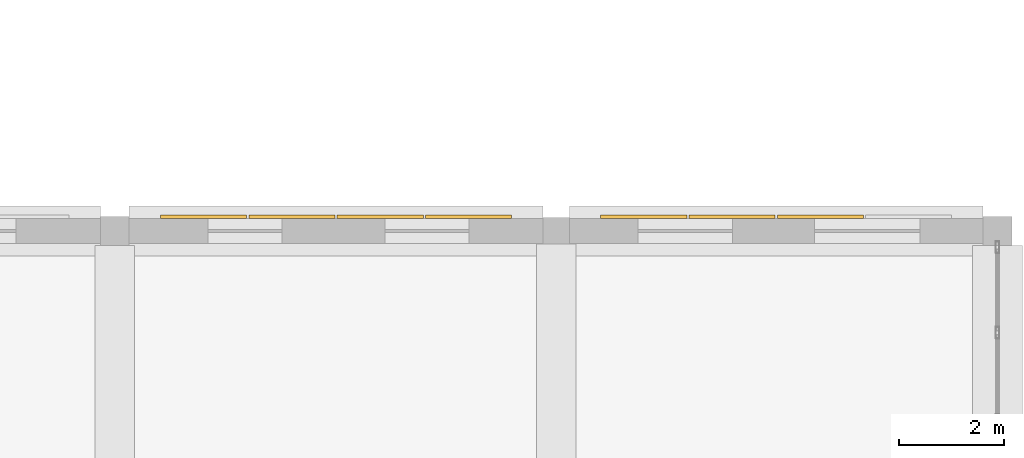
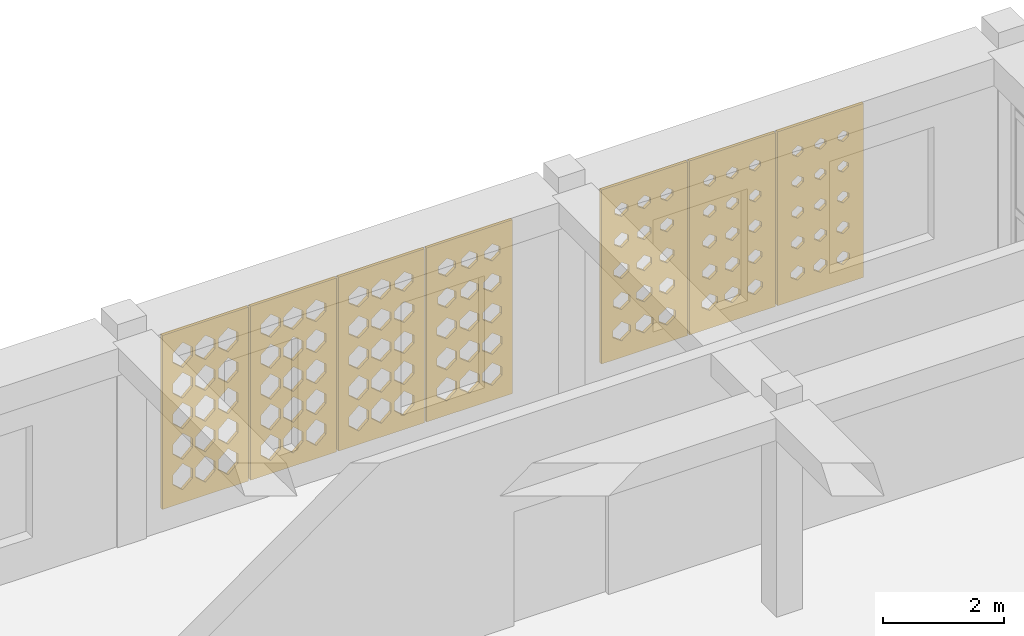
# One storey, part 119 of 121: 7 coverings.
"""IFC4 building model written with IfcOpenShell, lengths in metres."""

import ifcopenshell
import ifcopenshell.guid

model = None  # the IFC model being written
_history = None  # IfcOwnerHistory: only IFC2X3 demands one
_inside = {}  # id of a spatial element -> (the spatial element, [elements in it])
_under = {}  # id of a project, library or spatial element -> (it, [spatial elements below it])
_declared = {}  # id of a project -> (the project, [libraries it declares])
_typed = {}  # id of a type object -> (the type object, [elements of that type])
_made_of = {}  # id of a material, layer set ... -> (it, [elements and type objects made of it])


def new_model(schema):
    """Start an empty IFC model of exactly this schema.

    Asked for "IFC4X3", IfcOpenShell would pick the latest addendum, in which some entities
    have other attributes; the version numbers below select the first issue.
    IFC2X3 requires an IfcOwnerHistory on every rooted entity: one is made here for all.
    """
    global model, _history
    if schema == "IFC4X3":
        model = ifcopenshell.file(schema_version=(4, 3, 0, 0))
    else:
        model = ifcopenshell.file(schema=schema)
    _inside.clear()
    _under.clear()
    _declared.clear()
    _typed.clear()
    _made_of.clear()
    _history = None
    if model.schema == "IFC2X3":
        org = make("IfcOrganization", Name="unknown")
        user = make(
            "IfcPersonAndOrganization",
            ThePerson=make("IfcPerson", FamilyName="unknown"),
            TheOrganization=org,
        )
        app = make(
            "IfcApplication",
            ApplicationDeveloper=org,
            Version="unknown",
            ApplicationFullName="unknown",
            ApplicationIdentifier="unknown",
        )
        _history = make(
            "IfcOwnerHistory",
            OwningUser=user,
            OwningApplication=app,
            ChangeAction="ADDED",
            CreationDate=0,
        )
    return model


def make(cls, **values):
    """One entity of the class cls with the attributes given. An attribute that is None is left unset."""
    return model.create_entity(
        cls, **{name: value for name, value in values.items() if value is not None}
    )


def rooted(cls, **values):
    """An entity with a GlobalId (a new one), such as an element, a storey or a relation."""
    return make(cls, GlobalId=ifcopenshell.guid.new(), OwnerHistory=_history, **values)


def si_unit(unit_type, name, prefix=None):
    """IfcSIUnit, for example si_unit("LENGTHUNIT", "METRE", prefix="MILLI")."""
    return make("IfcSIUnit", UnitType=unit_type, Prefix=prefix, Name=name)


def derived_unit(unit_type, elements):
    """IfcDerivedUnit: a product of units, each with its exponent."""
    return make(
        "IfcDerivedUnit",
        Elements=[
            make("IfcDerivedUnitElement", Unit=unit, Exponent=power)
            for unit, power in elements
        ],
        UnitType=unit_type,
    )


def assignment(units):
    """IfcUnitAssignment: the units of a project."""
    return None if units is None else make("IfcUnitAssignment", Units=units)


def point(xyz):
    """IfcCartesianPoint."""
    return None if xyz is None else make("IfcCartesianPoint", Coordinates=xyz)


def direction(xyz):
    """IfcDirection."""
    return None if xyz is None else make("IfcDirection", DirectionRatios=xyz)


def frame(location, z_axis=None, x_axis=None):
    """IfcAxis2Placement3D, a coordinate frame: its origin and axes. An axis left out is left unset."""
    return make(
        "IfcAxis2Placement3D",
        Location=point(location),
        Axis=direction(z_axis),
        RefDirection=direction(x_axis),
    )


def origin():
    """The frame at (0, 0, 0) with its axes left unset."""
    return frame((0.0, 0.0, 0.0))


def place(relative_to, where):
    """IfcLocalPlacement: puts the frame where relative to a parent placement (None: the world)."""
    return make(
        "IfcLocalPlacement", PlacementRelTo=relative_to, RelativePlacement=where
    )


def context(
    kind, dimensions, precision=None, world=None, true_north=None, identifier=None
):
    """IfcGeometricRepresentationContext, for example the 3D "Model" context."""
    return make(
        "IfcGeometricRepresentationContext",
        ContextIdentifier=identifier,
        ContextType=kind,
        CoordinateSpaceDimension=dimensions,
        Precision=precision,
        WorldCoordinateSystem=world,
        TrueNorth=true_north,
    )


def subcontext(parent, identifier, kind, view, scale=None):
    """IfcGeometricRepresentationSubContext, for example "Body" below "Model"."""
    return make(
        "IfcGeometricRepresentationSubContext",
        ContextIdentifier=identifier,
        ContextType=kind,
        ParentContext=parent,
        TargetScale=scale,
        TargetView=view,
    )


def project(units=None, contexts=None):
    """IfcProject with its units and contexts."""
    return rooted(
        "IfcProject",
        Name="project",
        RepresentationContexts=contexts,
        UnitsInContext=assignment(units),
    )


def spatial(cls, under=None, at=None, **own):
    """A site, building, storey or space (cls), placed at a placement, below another one or the project."""
    s = rooted(cls, ObjectPlacement=at, **own)
    if under is not None:
        _under.setdefault(under.id(), (under, []))[1].append(s)
    return s


def polyline(points):
    """IfcPolyline through the points."""
    return make("IfcPolyline", Points=[point(p) for p in points])


def outline(outer, holes=None, kind="AREA"):
    """IfcArbitraryClosedProfileDef: a profile drawn as a closed curve; with holes, ...WithVoids."""
    if holes is None:
        return make("IfcArbitraryClosedProfileDef", ProfileType=kind, OuterCurve=outer)
    return make(
        "IfcArbitraryProfileDefWithVoids",
        ProfileType=kind,
        OuterCurve=outer,
        InnerCurves=holes,
    )


def extrude(swept, where, along, depth):
    """IfcExtrudedAreaSolid: the profile swept, set in the frame where, extruded along a direction by depth."""
    return make(
        "IfcExtrudedAreaSolid",
        SweptArea=swept,
        Position=where,
        ExtrudedDirection=direction(along),
        Depth=depth,
    )


def shape(context_of_items, identifier, shape_type, items):
    """IfcShapeRepresentation: the items that make up one representation, for example the "Body"."""
    return make(
        "IfcShapeRepresentation",
        ContextOfItems=context_of_items,
        RepresentationIdentifier=identifier,
        RepresentationType=shape_type,
        Items=items,
    )


def material(Name=None, Category=None):
    """IfcMaterial."""
    return make("IfcMaterial", Name=Name, Category=Category)


def layer(
    of_material, thickness, ventilated=None, Name=None, Category=None, Priority=None
):
    """IfcMaterialLayer: one layer of a wall or slab, of a material (None: an air gap)."""
    return make(
        "IfcMaterialLayer",
        Material=of_material,
        LayerThickness=thickness,
        IsVentilated=ventilated,
        Name=Name,
        Category=Category,
        Priority=Priority,
    )


def layer_set(layers, Name=None):
    """IfcMaterialLayerSet."""
    return make("IfcMaterialLayerSet", MaterialLayers=layers, LayerSetName=Name)


def made_of(thing, what):
    """Note that an element or type object is made of a material, layer set ...; save() writes the relation."""
    if what is not None:
        _made_of.setdefault(what.id(), (what, []))[1].append(thing)
    return thing


def type_object(cls, material=None, **own):
    """A type object (cls), such as IfcWallType, which elements share."""
    return made_of(rooted(cls, **own), material)


def element(
    cls,
    number,
    at=None,
    inside=None,
    cuts=None,
    type_object=None,
    material=None,
    context=None,
    identifier="Body",
    shape_type=None,
    held_by="IfcProductDefinitionShape",
    body=None,
    shapes=None,
    **own,
):
    """One element of the class cls, such as IfcWall. Its Tag is "e" and its number.

    at: its placement. inside: the storey or other place that contains it. cuts: it is an
    opening in that element (IfcRelVoidsElement). A single representation is given by context,
    identifier, shape_type and body (its items); several are given by shapes. held_by: the class
    of the entity that holds the representations. save() writes the other relations.
    """
    e = rooted(cls, Tag="e%d" % number, ObjectPlacement=at, **own)
    if body is not None:
        shapes = [shape(context, identifier, shape_type, body)]
    if shapes is not None:
        e.Representation = make(held_by, Representations=shapes)
    if inside is not None:
        _inside.setdefault(inside.id(), (inside, []))[1].append(e)
    if cuts is not None:
        rooted(
            "IfcRelVoidsElement", RelatingBuildingElement=cuts, RelatedOpeningElement=e
        )
    if type_object is not None:
        _typed.setdefault(type_object.id(), (type_object, []))[1].append(e)
    return made_of(e, material)


def aggregate(whole, parts):
    """IfcRelAggregates: a whole, such as a stair, and the parts it consists of."""
    return rooted("IfcRelAggregates", RelatingObject=whole, RelatedObjects=parts)


def save(model, path):
    """Write the relations noted so far, then the file.

    IfcRelAggregates (storeys below a building ...), IfcRelContainedInSpatialStructure (elements
    in a storey), IfcRelDefinesByType, IfcRelAssociatesMaterial and IfcRelDeclares: one each for
    every whole, place, type object, material and project.
    """
    for whole, parts in _under.values():
        aggregate(whole, parts)
    for where, things in _inside.values():
        rooted(
            "IfcRelContainedInSpatialStructure",
            RelatedElements=things,
            RelatingStructure=where,
        )
    for kind, things in _typed.values():
        rooted("IfcRelDefinesByType", RelatedObjects=things, RelatingType=kind)
    for what, things in _made_of.values():
        rooted("IfcRelAssociatesMaterial", RelatedObjects=things, RelatingMaterial=what)
    for by, libraries in _declared.values():
        rooted("IfcRelDeclares", RelatingContext=by, RelatedDefinitions=libraries)
    model.write(path)


model = new_model("IFC4")

# Units and contexts
model_context = context("Model", 3, precision=1e-05, world=origin(), true_north=direction((0.0, 1.0)))
body_context = subcontext(model_context, "Body", "Model", "MODEL_VIEW")
ifc_project = project(units=[si_unit("LENGTHUNIT", "METRE"), si_unit("AREAUNIT", "SQUARE_METRE"), si_unit("VOLUMEUNIT", "CUBIC_METRE"), si_unit("PLANEANGLEUNIT", "RADIAN"), si_unit("MASSUNIT", "GRAM", prefix="KILO"), derived_unit("THERMALTRANSMITTANCEUNIT", [(si_unit("POWERUNIT", "WATT"), 1), (si_unit("LENGTHUNIT", "METRE"), -2), (si_unit("THERMODYNAMICTEMPERATUREUNIT", "KELVIN"), -1)])], contexts=[model_context])

# Site, building, storey
site_placement = place(None, origin())
site = spatial("IfcSite", under=ifc_project, at=site_placement, CompositionType="ELEMENT")
building_placement = place(site_placement, origin())
building = spatial("IfcBuilding", under=site, at=building_placement, Name="Veybourne Emporium", CompositionType="ELEMENT")
storey_placement = place(building_placement, frame((0.0, 0.0, 5.39990234375)))
storey = spatial("IfcBuildingStorey", under=building, at=storey_placement, Name="L01", CompositionType="ELEMENT", Elevation=5.39990234375)

# Coverings
ifc_material = material(Name="Warm-White Perforated Aluminium Screen Alloy", Category="aluminium")
ifc_layer_1 = layer(ifc_material, 0.06005859375)
ifc_layer_set_1 = layer_set([ifc_layer_1], Name="Warm-White Perforated Aluminium Screen Alloy")
covering_type_1 = type_object("IfcCoveringType", Name="WaveScreen_SCR-01", PredefinedType="CLADDING", material=ifc_layer_set_1)
covering_1_placement = place(storey_placement, frame((156.25244140625, 21.89794921875, 1.815185546875), z_axis=(0.0, -1.0, 0.0), x_axis=(1.0, 0.0, 0.0)))
element("IfcCovering", 1, at=covering_1_placement, inside=storey, type_object=covering_type_1, Name="L01 wave-perforated aluminium screen SCR-01 (76.3)", PredefinedType="CLADDING", context=body_context, shape_type="SweptSolid", body=[
    extrude(outline(polyline([(-0.81982421875, -1.7548828125), (0.81982421875, -1.7548828125), (0.81982421875, 1.7548828125), (-0.81982421875, 1.7548828125), (-0.81982421875, -1.7548828125)]), holes=[polyline([(-0.433349609375, -0.970947265625), (-0.2470703125, -1.135498046875), (-0.2470703125, -1.320556640625), (-0.433349609375, -1.485107421875), (-0.61962890625, -1.320556640625), (-0.61962890625, -1.135498046875), (-0.433349609375, -0.970947265625)]), polyline([(-0.433349609375, -0.36669921875), (-0.2470703125, -0.52490234375), (-0.2470703125, -0.702880859375), (-0.433349609375, -0.861083984375), (-0.61962890625, -0.702880859375), (-0.61962890625, -0.52490234375), (-0.433349609375, -0.36669921875)]), polyline([(-0.433349609375, 0.23583984375), (-0.2470703125, 0.0849609375), (-0.2470703125, -0.0849609375), (-0.433349609375, -0.23583984375), (-0.61962890625, -0.0849609375), (-0.61962890625, 0.0849609375), (-0.433349609375, 0.23583984375)]), polyline([(-0.433349609375, 0.837158203125), (-0.2470703125, 0.6943359375), (-0.2470703125, 0.53369140625), (-0.433349609375, 0.390869140625), (-0.61962890625, 0.53369140625), (-0.61962890625, 0.6943359375), (-0.433349609375, 0.837158203125)]), polyline([(-0.433349609375, 1.437744140625), (-0.251708984375, 1.303466796875), (-0.251708984375, 1.152587890625), (-0.433349609375, 1.018310546875), (-0.614990234375, 1.152587890625), (-0.614990234375, 1.303466796875), (-0.433349609375, 1.437744140625)]), polyline([(0.0, -0.97509765625), (0.186279296875, -1.136962890625), (0.186279296875, -1.319091796875), (0.0, -1.480712890625), (-0.186279296875, -1.319091796875), (-0.186279296875, -1.136962890625), (0.0, -0.97509765625)]), polyline([(0.0, -0.37158203125), (0.186279296875, -0.52685546875), (0.186279296875, -0.701171875), (0.0, -0.856201171875), (-0.186279296875, -0.701171875), (-0.186279296875, -0.52685546875), (0.0, -0.37158203125)]), polyline([(0.0, 0.230224609375), (0.186279296875, 0.0830078125), (0.186279296875, -0.0830078125), (0.0, -0.230224609375), (-0.186279296875, -0.0830078125), (-0.186279296875, 0.0830078125), (0.0, 0.230224609375)]), polyline([(0.0, 0.831298828125), (0.186279296875, 0.692138671875), (0.186279296875, 0.535888671875), (0.0, 0.396728515625), (-0.186279296875, 0.535888671875), (-0.186279296875, 0.692138671875), (0.0, 0.831298828125)]), polyline([(0.0, 1.431396484375), (0.176513671875, 1.30126953125), (0.176513671875, 1.15478515625), (0.0, 1.024658203125), (-0.176513671875, 1.15478515625), (-0.176513671875, 1.30126953125), (0.0, 1.431396484375)]), polyline([(0.433349609375, -0.979736328125), (0.61962890625, -1.138671875), (0.61962890625, -1.3173828125), (0.433349609375, -1.476318359375), (0.2470703125, -1.3173828125), (0.2470703125, -1.138671875), (0.433349609375, -0.979736328125)]), polyline([(0.433349609375, -0.376953125), (0.61962890625, -0.52880859375), (0.61962890625, -0.69921875), (0.433349609375, -0.85107421875), (0.2470703125, -0.69921875), (0.2470703125, -0.52880859375), (0.433349609375, -0.376953125)]), polyline([(0.433349609375, 0.224365234375), (0.61962890625, 0.080810546875), (0.61962890625, -0.080810546875), (0.433349609375, -0.224365234375), (0.2470703125, -0.080810546875), (0.2470703125, 0.080810546875), (0.433349609375, 0.224365234375)]), polyline([(0.433349609375, 0.824951171875), (0.615966796875, 0.68994140625), (0.615966796875, 0.5380859375), (0.433349609375, 0.403076171875), (0.250732421875, 0.5380859375), (0.250732421875, 0.68994140625), (0.433349609375, 0.824951171875)]), polyline([(0.433349609375, 1.4248046875), (0.6044921875, 1.298828125), (0.6044921875, 1.156982421875), (0.433349609375, 1.031005859375), (0.26220703125, 1.156982421875), (0.26220703125, 1.298828125), (0.433349609375, 1.4248046875)])]), origin(), (0.0, 0.0, 1.0), 0.06005859375),
])
covering_2_placement = place(storey_placement, frame((164.62744140625, 21.89794921875, 1.815185546875), z_axis=(0.0, -1.0, 0.0), x_axis=(1.0, 0.0, 0.0)))
element("IfcCovering", 2, at=covering_2_placement, inside=storey, type_object=covering_type_1, Name="L01 wave-perforated aluminium screen SCR-01 (80.3)", PredefinedType="CLADDING", context=body_context, shape_type="SweptSolid", body=[
    extrude(outline(polyline([(-0.81982421875, -1.7548828125), (0.81982421875, -1.7548828125), (0.81982421875, 1.7548828125), (-0.81982421875, 1.7548828125), (-0.81982421875, -1.7548828125)]), holes=[polyline([(-0.433349609375, -1.082763671875), (-0.304443359375, -1.17578125), (-0.304443359375, -1.2802734375), (-0.433349609375, -1.373291015625), (-0.562255859375, -1.2802734375), (-0.562255859375, -1.17578125), (-0.433349609375, -1.082763671875)]), polyline([(-0.433349609375, -0.4794921875), (-0.3134765625, -0.565673828125), (-0.3134765625, -0.662353515625), (-0.433349609375, -0.748291015625), (-0.55322265625, -0.662353515625), (-0.55322265625, -0.565673828125), (-0.433349609375, -0.4794921875)]), polyline([(-0.433349609375, 0.125244140625), (-0.32080078125, 0.045166015625), (-0.32080078125, -0.045166015625), (-0.433349609375, -0.125244140625), (-0.5458984375, -0.045166015625), (-0.5458984375, 0.045166015625), (-0.433349609375, 0.125244140625)]), polyline([(-0.433349609375, 0.73193359375), (-0.326904296875, 0.656494140625), (-0.326904296875, 0.571533203125), (-0.433349609375, 0.49609375), (-0.539794921875, 0.571533203125), (-0.539794921875, 0.656494140625), (-0.433349609375, 0.73193359375)]), polyline([(-0.433349609375, 1.341064453125), (-0.330810546875, 1.268798828125), (-0.330810546875, 1.187255859375), (-0.433349609375, 1.114990234375), (-0.535888671875, 1.187255859375), (-0.535888671875, 1.268798828125), (-0.433349609375, 1.341064453125)]), polyline([(0.0, -1.087890625), (0.12451171875, -1.177490234375), (0.12451171875, -1.2783203125), (0.0, -1.3681640625), (-0.12451171875, -1.2783203125), (-0.12451171875, -1.177490234375), (0.0, -1.087890625)]), polyline([(0.0, -0.48388671875), (0.1162109375, -0.567138671875), (0.1162109375, -0.660888671875), (0.0, -0.743896484375), (-0.1162109375, -0.660888671875), (-0.1162109375, -0.567138671875), (0.0, -0.48388671875)]), polyline([(0.0, 0.12158203125), (0.109619140625, 0.043701171875), (0.109619140625, -0.043701171875), (0.0, -0.12158203125), (-0.109619140625, -0.043701171875), (-0.109619140625, 0.043701171875), (0.0, 0.12158203125)]), polyline([(0.0, 0.7294921875), (0.1044921875, 0.655517578125), (0.1044921875, 0.572509765625), (0.0, 0.49853515625), (-0.1044921875, 0.572509765625), (-0.1044921875, 0.655517578125), (0.0, 0.7294921875)]), polyline([(0.0, 1.339599609375), (0.101318359375, 1.268310546875), (0.101318359375, 1.187744140625), (0.0, 1.116455078125), (-0.101318359375, 1.187744140625), (-0.101318359375, 1.268310546875), (0.0, 1.339599609375)]), polyline([(0.433349609375, -1.0927734375), (0.553955078125, -1.17919921875), (0.553955078125, -1.276611328125), (0.433349609375, -1.36328125), (0.3125, -1.276611328125), (0.3125, -1.17919921875), (0.433349609375, -1.0927734375)]), polyline([(0.433349609375, -0.488037109375), (0.54638671875, -0.568603515625), (0.54638671875, -0.659423828125), (0.433349609375, -0.739990234375), (0.3203125, -0.659423828125), (0.3203125, -0.568603515625), (0.433349609375, -0.488037109375)]), polyline([(0.433349609375, 0.11865234375), (0.540283203125, 0.042724609375), (0.540283203125, -0.042724609375), (0.433349609375, -0.11865234375), (0.326416015625, -0.042724609375), (0.326416015625, 0.042724609375), (0.433349609375, 0.11865234375)]), polyline([(0.433349609375, 0.727294921875), (0.5361328125, 0.65478515625), (0.5361328125, 0.5732421875), (0.433349609375, 0.50048828125), (0.33056640625, 0.5732421875), (0.33056640625, 0.65478515625), (0.433349609375, 0.727294921875)]), polyline([(0.433349609375, 1.338623046875), (0.53369140625, 1.267822265625), (0.53369140625, 1.188232421875), (0.433349609375, 1.117431640625), (0.3330078125, 1.188232421875), (0.3330078125, 1.267822265625), (0.433349609375, 1.338623046875)])]), origin(), (0.0, 0.0, 1.0), 0.06005859375),
])
ifc_layer_2 = layer(ifc_material, 0.06005859375)
ifc_layer_set_2 = layer_set([ifc_layer_2], Name="Warm-White Perforated Aluminium Screen Alloy")
covering_type_2 = type_object("IfcCoveringType", Name="WaveScreen_SCR-02", PredefinedType="CLADDING", material=ifc_layer_set_2)
covering_3_placement = place(storey_placement, frame((157.9326171875, 21.89794921875, 1.815185546875), z_axis=(0.0, -1.0, 0.0), x_axis=(1.0, 0.0, 0.0)))
element("IfcCovering", 3, at=covering_3_placement, inside=storey, type_object=covering_type_2, Name="L01 wave-perforated aluminium screen SCR-02 (76.4)", PredefinedType="CLADDING", context=body_context, shape_type="SweptSolid", body=[
    extrude(outline(polyline([(-0.81982421875, -1.7548828125), (0.81982421875, -1.7548828125), (0.81982421875, 1.7548828125), (-0.81982421875, 1.7548828125), (-0.81982421875, -1.7548828125)]), holes=[polyline([(-0.433349609375, -0.9892578125), (-0.2470703125, -1.14208984375), (-0.2470703125, -1.31396484375), (-0.433349609375, -1.466796875), (-0.61962890625, -1.31396484375), (-0.61962890625, -1.14208984375), (-0.433349609375, -0.9892578125)]), polyline([(-0.433349609375, -0.3876953125), (-0.2470703125, -0.532470703125), (-0.2470703125, -0.695556640625), (-0.433349609375, -0.84033203125), (-0.61962890625, -0.695556640625), (-0.61962890625, -0.532470703125), (-0.433349609375, -0.3876953125)]), polyline([(-0.433349609375, 0.212890625), (-0.2490234375, 0.07666015625), (-0.2490234375, -0.07666015625), (-0.433349609375, -0.212890625), (-0.61767578125, -0.07666015625), (-0.61767578125, 0.07666015625), (-0.433349609375, 0.212890625)]), polyline([(-0.433349609375, 0.81298828125), (-0.260498046875, 0.685791015625), (-0.260498046875, 0.542236328125), (-0.433349609375, 0.4150390625), (-0.606201171875, 0.542236328125), (-0.606201171875, 0.685791015625), (-0.433349609375, 0.81298828125)]), polyline([(-0.433349609375, 1.412841796875), (-0.272216796875, 1.294677734375), (-0.272216796875, 1.161376953125), (-0.433349609375, 1.043212890625), (-0.594482421875, 1.161376953125), (-0.594482421875, 1.294677734375), (-0.433349609375, 1.412841796875)]), polyline([(0.0, -0.99462890625), (0.186279296875, -1.14404296875), (0.186279296875, -1.31201171875), (0.0, -1.461181640625), (-0.186279296875, -1.31201171875), (-0.186279296875, -1.14404296875), (0.0, -0.99462890625)]), polyline([(0.0, -0.3935546875), (0.186279296875, -0.53466796875), (0.186279296875, -0.693359375), (0.0, -0.83447265625), (-0.186279296875, -0.693359375), (-0.186279296875, -0.53466796875), (0.0, -0.3935546875)]), polyline([(0.0, 0.206787109375), (0.17919921875, 0.074462890625), (0.17919921875, -0.074462890625), (0.0, -0.206787109375), (-0.17919921875, -0.074462890625), (-0.17919921875, 0.074462890625), (0.0, 0.206787109375)]), polyline([(0.0, 0.806640625), (0.16748046875, 0.683349609375), (0.16748046875, 0.544677734375), (0.0, 0.42138671875), (-0.16748046875, 0.544677734375), (-0.16748046875, 0.683349609375), (0.0, 0.806640625)]), polyline([(0.0, 1.406494140625), (0.156005859375, 1.292236328125), (0.156005859375, 1.163818359375), (0.0, 1.049560546875), (-0.156005859375, 1.163818359375), (-0.156005859375, 1.292236328125), (0.0, 1.406494140625)]), polyline([(0.433349609375, -1.00048828125), (0.61962890625, -1.14599609375), (0.61962890625, -1.309814453125), (0.433349609375, -1.45556640625), (0.2470703125, -1.309814453125), (0.2470703125, -1.14599609375), (0.433349609375, -1.00048828125)]), polyline([(0.433349609375, -0.399658203125), (0.61865234375, -0.536865234375), (0.61865234375, -0.691162109375), (0.433349609375, -0.828369140625), (0.248046875, -0.691162109375), (0.248046875, -0.536865234375), (0.433349609375, -0.399658203125)]), polyline([(0.433349609375, 0.2001953125), (0.607421875, 0.072021484375), (0.607421875, -0.072021484375), (0.433349609375, -0.2001953125), (0.259521484375, -0.072021484375), (0.259521484375, 0.072021484375), (0.433349609375, 0.2001953125)]), polyline([(0.433349609375, 0.80029296875), (0.595703125, 0.680908203125), (0.595703125, 0.547119140625), (0.433349609375, 0.427734375), (0.27099609375, 0.547119140625), (0.27099609375, 0.680908203125), (0.433349609375, 0.80029296875)]), polyline([(0.433349609375, 1.400146484375), (0.584228515625, 1.2900390625), (0.584228515625, 1.166015625), (0.433349609375, 1.055908203125), (0.282470703125, 1.166015625), (0.282470703125, 1.2900390625), (0.433349609375, 1.400146484375)])]), origin(), (0.0, 0.0, 1.0), 0.06005859375),
])
ifc_layer_3 = layer(ifc_material, 0.06005859375)
ifc_layer_set_3 = layer_set([ifc_layer_3], Name="Warm-White Perforated Aluminium Screen Alloy")
covering_type_3 = type_object("IfcCoveringType", Name="WaveScreen_SCR-03", PredefinedType="CLADDING", material=ifc_layer_set_3)
covering_4_placement = place(storey_placement, frame((152.892578125, 21.89794921875, 1.815185546875), z_axis=(0.0, -1.0, 0.0), x_axis=(1.0, 0.0, 0.0)))
element("IfcCovering", 4, at=covering_4_placement, inside=storey, type_object=covering_type_3, Name="L01 wave-perforated aluminium screen SCR-03 (76.1)", PredefinedType="CLADDING", context=body_context, shape_type="SweptSolid", body=[
    extrude(outline(polyline([(-0.81982421875, -1.7548828125), (0.81982421875, -1.7548828125), (0.81982421875, 1.7548828125), (-0.81982421875, 1.7548828125), (-0.81982421875, -1.7548828125)]), holes=[polyline([(-0.433349609375, -0.964111328125), (-0.2470703125, -1.133056640625), (-0.2470703125, -1.322998046875), (-0.433349609375, -1.491943359375), (-0.61962890625, -1.322998046875), (-0.61962890625, -1.133056640625), (-0.433349609375, -0.964111328125)]), polyline([(-0.433349609375, -0.35009765625), (-0.2470703125, -0.51904296875), (-0.2470703125, -0.708984375), (-0.433349609375, -0.8779296875), (-0.61962890625, -0.708984375), (-0.61962890625, -0.51904296875), (-0.433349609375, -0.35009765625)]), polyline([(-0.433349609375, 0.263916015625), (-0.2470703125, 0.094970703125), (-0.2470703125, -0.094970703125), (-0.433349609375, -0.263916015625), (-0.61962890625, -0.094970703125), (-0.61962890625, 0.094970703125), (-0.433349609375, 0.263916015625)]), polyline([(-0.433349609375, 0.875244140625), (-0.2470703125, 0.7080078125), (-0.2470703125, 0.52001953125), (-0.433349609375, 0.352783203125), (-0.61962890625, 0.52001953125), (-0.61962890625, 0.7080078125), (-0.433349609375, 0.875244140625)]), polyline([(-0.433349609375, 1.48046875), (-0.2470703125, 1.31884765625), (-0.2470703125, 1.13720703125), (-0.433349609375, 0.9755859375), (-0.61962890625, 1.13720703125), (-0.61962890625, 1.31884765625), (-0.433349609375, 1.48046875)]), polyline([(0.0, -0.964111328125), (0.186279296875, -1.133056640625), (0.186279296875, -1.322998046875), (0.0, -1.491943359375), (-0.186279296875, -1.322998046875), (-0.186279296875, -1.133056640625), (0.0, -0.964111328125)]), polyline([(0.0, -0.35009765625), (0.186279296875, -0.51904296875), (0.186279296875, -0.708984375), (0.0, -0.8779296875), (-0.186279296875, -0.708984375), (-0.186279296875, -0.51904296875), (0.0, -0.35009765625)]), polyline([(0.0, 0.263916015625), (0.186279296875, 0.094970703125), (0.186279296875, -0.094970703125), (0.0, -0.263916015625), (-0.186279296875, -0.094970703125), (-0.186279296875, 0.094970703125), (0.0, 0.263916015625)]), polyline([(0.0, 0.87158203125), (0.186279296875, 0.706787109375), (0.186279296875, 0.521240234375), (0.0, 0.3564453125), (-0.186279296875, 0.521240234375), (-0.186279296875, 0.706787109375), (0.0, 0.87158203125)]), polyline([(0.0, 1.475830078125), (0.186279296875, 1.3173828125), (0.186279296875, 1.138671875), (0.0, 0.97998046875), (-0.186279296875, 1.138671875), (-0.186279296875, 1.3173828125), (0.0, 1.475830078125)]), polyline([(0.433349609375, -0.964111328125), (0.61962890625, -1.133056640625), (0.61962890625, -1.322998046875), (0.433349609375, -1.491943359375), (0.2470703125, -1.322998046875), (0.2470703125, -1.133056640625), (0.433349609375, -0.964111328125)]), polyline([(0.433349609375, -0.35009765625), (0.61962890625, -0.51904296875), (0.61962890625, -0.708984375), (0.433349609375, -0.8779296875), (0.2470703125, -0.708984375), (0.2470703125, -0.51904296875), (0.433349609375, -0.35009765625)]), polyline([(0.433349609375, 0.261962890625), (0.61962890625, 0.09423828125), (0.61962890625, -0.09423828125), (0.433349609375, -0.261962890625), (0.2470703125, -0.09423828125), (0.2470703125, 0.09423828125), (0.433349609375, 0.261962890625)]), polyline([(0.433349609375, 0.867431640625), (0.61962890625, 0.705078125), (0.61962890625, 0.522705078125), (0.433349609375, 0.360595703125), (0.2470703125, 0.522705078125), (0.2470703125, 0.705078125), (0.433349609375, 0.867431640625)]), polyline([(0.433349609375, 1.470947265625), (0.61962890625, 1.3154296875), (0.61962890625, 1.140380859375), (0.433349609375, 0.985107421875), (0.2470703125, 1.140380859375), (0.2470703125, 1.3154296875), (0.433349609375, 1.470947265625)])]), origin(), (0.0, 0.0, 1.0), 0.06005859375),
])
covering_5_placement = place(storey_placement, frame((161.267578125, 21.89794921875, 1.815185546875), z_axis=(0.0, -1.0, 0.0), x_axis=(1.0, 0.0, 0.0)))
element("IfcCovering", 5, at=covering_5_placement, inside=storey, type_object=covering_type_3, Name="L01 wave-perforated aluminium screen SCR-03 (80.1)", PredefinedType="CLADDING", context=body_context, shape_type="SweptSolid", body=[
    extrude(outline(polyline([(-0.81982421875, -1.7548828125), (0.81982421875, -1.7548828125), (0.81982421875, 1.7548828125), (-0.81982421875, 1.7548828125), (-0.81982421875, -1.7548828125)]), holes=[polyline([(-0.433349609375, -1.035888671875), (-0.26611328125, -1.158935546875), (-0.26611328125, -1.297119140625), (-0.433349609375, -1.420166015625), (-0.6005859375, -1.297119140625), (-0.6005859375, -1.158935546875), (-0.433349609375, -1.035888671875)]), polyline([(-0.433349609375, -0.43603515625), (-0.277587890625, -0.5498046875), (-0.277587890625, -0.677978515625), (-0.433349609375, -0.7919921875), (-0.5888671875, -0.677978515625), (-0.5888671875, -0.5498046875), (-0.433349609375, -0.43603515625)]), polyline([(-0.433349609375, 0.164306640625), (-0.288818359375, 0.05908203125), (-0.288818359375, -0.05908203125), (-0.433349609375, -0.164306640625), (-0.57763671875, -0.05908203125), (-0.57763671875, 0.05908203125), (-0.433349609375, 0.164306640625)]), polyline([(-0.433349609375, 0.765380859375), (-0.29931640625, 0.66845703125), (-0.29931640625, 0.5595703125), (-0.433349609375, 0.462646484375), (-0.567138671875, 0.5595703125), (-0.567138671875, 0.66845703125), (-0.433349609375, 0.765380859375)]), polyline([(-0.433349609375, 1.367919921875), (-0.30908203125, 1.2783203125), (-0.30908203125, 1.177734375), (-0.433349609375, 1.088134765625), (-0.5576171875, 1.177734375), (-0.5576171875, 1.2783203125), (-0.433349609375, 1.367919921875)]), polyline([(0.0, -1.04248046875), (0.161865234375, -1.1611328125), (0.161865234375, -1.294921875), (0.0, -1.41357421875), (-0.161865234375, -1.294921875), (-0.161865234375, -1.1611328125), (0.0, -1.04248046875)]), polyline([(0.0, -0.4423828125), (0.150390625, -0.55224609375), (0.150390625, -0.67578125), (0.0, -0.78564453125), (-0.150390625, -0.67578125), (-0.150390625, -0.55224609375), (0.0, -0.4423828125)]), polyline([(0.0, 0.158203125), (0.139404296875, 0.056884765625), (0.139404296875, -0.056884765625), (0.0, -0.158203125), (-0.139404296875, -0.056884765625), (-0.139404296875, 0.056884765625), (0.0, 0.158203125)]), polyline([(0.0, 0.760009765625), (0.12939453125, 0.66650390625), (0.12939453125, 0.561279296875), (0.0, 0.468017578125), (-0.12939453125, 0.561279296875), (-0.12939453125, 0.66650390625), (0.0, 0.760009765625)]), polyline([(0.0, 1.363037109375), (0.12060546875, 1.276611328125), (0.12060546875, 1.179443359375), (0.0, 1.093017578125), (-0.12060546875, 1.179443359375), (-0.12060546875, 1.276611328125), (0.0, 1.363037109375)]), polyline([(0.433349609375, -1.048583984375), (0.590087890625, -1.16357421875), (0.590087890625, -1.29248046875), (0.433349609375, -1.4072265625), (0.276611328125, -1.29248046875), (0.276611328125, -1.16357421875), (0.433349609375, -1.048583984375)]), polyline([(0.433349609375, -0.448486328125), (0.578857421875, -0.554443359375), (0.578857421875, -0.673583984375), (0.433349609375, -0.779541015625), (0.287841796875, -0.673583984375), (0.287841796875, -0.554443359375), (0.433349609375, -0.448486328125)]), polyline([(0.433349609375, 0.152587890625), (0.568115234375, 0.054931640625), (0.568115234375, -0.054931640625), (0.433349609375, -0.152587890625), (0.298583984375, -0.054931640625), (0.298583984375, 0.054931640625), (0.433349609375, 0.152587890625)]), polyline([(0.433349609375, 0.7548828125), (0.55859375, 0.664794921875), (0.55859375, 0.563232421875), (0.433349609375, 0.47314453125), (0.30810546875, 0.563232421875), (0.30810546875, 0.664794921875), (0.433349609375, 0.7548828125)]), polyline([(0.433349609375, 1.358642578125), (0.55029296875, 1.27490234375), (0.55029296875, 1.180908203125), (0.433349609375, 1.097412109375), (0.31640625, 1.180908203125), (0.31640625, 1.27490234375), (0.433349609375, 1.358642578125)])]), origin(), (0.0, 0.0, 1.0), 0.06005859375),
])
ifc_layer_4 = layer(ifc_material, 0.06005859375)
ifc_layer_set_4 = layer_set([ifc_layer_4], Name="Warm-White Perforated Aluminium Screen Alloy")
covering_type_4 = type_object("IfcCoveringType", Name="WaveScreen_SCR-04", PredefinedType="CLADDING", material=ifc_layer_set_4)
covering_6_placement = place(storey_placement, frame((154.572509765625, 21.89794921875, 1.815185546875), z_axis=(0.0, -1.0, 0.0), x_axis=(1.0, 0.0, 0.0)))
element("IfcCovering", 6, at=covering_6_placement, inside=storey, type_object=covering_type_4, Name="L01 wave-perforated aluminium screen SCR-04 (76.2)", PredefinedType="CLADDING", context=body_context, shape_type="SweptSolid", body=[
    extrude(outline(polyline([(-0.81982421875, -1.7548828125), (0.81982421875, -1.7548828125), (0.81982421875, 1.7548828125), (-0.81982421875, 1.7548828125), (-0.81982421875, -1.7548828125)]), holes=[polyline([(-0.433349609375, -0.964111328125), (-0.2470703125, -1.133056640625), (-0.2470703125, -1.322998046875), (-0.433349609375, -1.491943359375), (-0.61962890625, -1.322998046875), (-0.61962890625, -1.133056640625), (-0.433349609375, -0.964111328125)]), polyline([(-0.433349609375, -0.350830078125), (-0.2470703125, -0.519287109375), (-0.2470703125, -0.708740234375), (-0.433349609375, -0.877197265625), (-0.61962890625, -0.708740234375), (-0.61962890625, -0.519287109375), (-0.433349609375, -0.350830078125)]), polyline([(-0.433349609375, 0.2548828125), (-0.2470703125, 0.091796875), (-0.2470703125, -0.091796875), (-0.433349609375, -0.2548828125), (-0.61962890625, -0.091796875), (-0.61962890625, 0.091796875), (-0.433349609375, 0.2548828125)]), polyline([(-0.433349609375, 0.858642578125), (-0.2470703125, 0.7021484375), (-0.2470703125, 0.52587890625), (-0.433349609375, 0.369384765625), (-0.61962890625, 0.52587890625), (-0.61962890625, 0.7021484375), (-0.433349609375, 0.858642578125)]), polyline([(-0.433349609375, 1.4609375), (-0.2470703125, 1.31201171875), (-0.2470703125, 1.14404296875), (-0.433349609375, 0.9951171875), (-0.61962890625, 1.14404296875), (-0.61962890625, 1.31201171875), (-0.433349609375, 1.4609375)]), polyline([(0.0, -0.964111328125), (0.186279296875, -1.133056640625), (0.186279296875, -1.322998046875), (0.0, -1.491943359375), (-0.186279296875, -1.322998046875), (-0.186279296875, -1.133056640625), (0.0, -0.964111328125)]), polyline([(0.0, -0.3544921875), (0.186279296875, -0.5205078125), (0.186279296875, -0.70751953125), (0.0, -0.87353515625), (-0.186279296875, -0.70751953125), (-0.186279296875, -0.5205078125), (0.0, -0.3544921875)]), polyline([(0.0, 0.25048828125), (0.186279296875, 0.090087890625), (0.186279296875, -0.090087890625), (0.0, -0.25048828125), (-0.186279296875, -0.090087890625), (-0.186279296875, 0.090087890625), (0.0, 0.25048828125)]), polyline([(0.0, 0.853515625), (0.186279296875, 0.7001953125), (0.186279296875, 0.52783203125), (0.0, 0.37451171875), (-0.186279296875, 0.52783203125), (-0.186279296875, 0.7001953125), (0.0, 0.853515625)]), polyline([(0.0, 1.455078125), (0.186279296875, 1.309814453125), (0.186279296875, 1.146240234375), (0.0, 1.000732421875), (-0.186279296875, 1.146240234375), (-0.186279296875, 1.309814453125), (0.0, 1.455078125)]), polyline([(0.433349609375, -0.964111328125), (0.61962890625, -1.133056640625), (0.61962890625, -1.322998046875), (0.433349609375, -1.49169921875), (0.2470703125, -1.322998046875), (0.2470703125, -1.133056640625), (0.433349609375, -0.964111328125)]), polyline([(0.433349609375, -0.3583984375), (0.61962890625, -0.52197265625), (0.61962890625, -0.7060546875), (0.433349609375, -0.86962890625), (0.2470703125, -0.7060546875), (0.2470703125, -0.52197265625), (0.433349609375, -0.3583984375)]), polyline([(0.433349609375, 0.24560546875), (0.61962890625, 0.08837890625), (0.61962890625, -0.08837890625), (0.433349609375, -0.24560546875), (0.2470703125, -0.08837890625), (0.2470703125, 0.08837890625), (0.433349609375, 0.24560546875)]), polyline([(0.433349609375, 0.84814453125), (0.61962890625, 0.6982421875), (0.61962890625, 0.52978515625), (0.433349609375, 0.3798828125), (0.2470703125, 0.52978515625), (0.2470703125, 0.6982421875), (0.433349609375, 0.84814453125)]), polyline([(0.433349609375, 1.44921875), (0.61962890625, 1.3076171875), (0.61962890625, 1.148193359375), (0.433349609375, 1.006591796875), (0.2470703125, 1.148193359375), (0.2470703125, 1.3076171875), (0.433349609375, 1.44921875)])]), origin(), (0.0, 0.0, 1.0), 0.06005859375),
])
covering_7_placement = place(storey_placement, frame((162.947509765625, 21.89794921875, 1.815185546875), z_axis=(0.0, -1.0, 0.0), x_axis=(1.0, 0.0, 0.0)))
element("IfcCovering", 7, at=covering_7_placement, inside=storey, type_object=covering_type_4, Name="L01 wave-perforated aluminium screen SCR-04 (80.2)", PredefinedType="CLADDING", context=body_context, shape_type="SweptSolid", body=[
    extrude(outline(polyline([(-0.81982421875, -1.7548828125), (0.81982421875, -1.7548828125), (0.81982421875, 1.7548828125), (-0.81982421875, 1.7548828125), (-0.81982421875, -1.7548828125)]), holes=[polyline([(-0.433349609375, -1.060546875), (-0.286376953125, -1.167724609375), (-0.286376953125, -1.288330078125), (-0.433349609375, -1.3955078125), (-0.580322265625, -1.288330078125), (-0.580322265625, -1.167724609375), (-0.433349609375, -1.060546875)]), polyline([(-0.433349609375, -0.459716796875), (-0.297119140625, -0.558349609375), (-0.297119140625, -0.669677734375), (-0.433349609375, -0.768310546875), (-0.569580078125, -0.669677734375), (-0.569580078125, -0.558349609375), (-0.433349609375, -0.459716796875)]), polyline([(-0.433349609375, 0.142578125), (-0.306884765625, 0.05126953125), (-0.306884765625, -0.05126953125), (-0.433349609375, -0.142578125), (-0.559814453125, -0.05126953125), (-0.559814453125, 0.05126953125), (-0.433349609375, 0.142578125)]), polyline([(-0.433349609375, 0.74609375), (-0.315185546875, 0.66162109375), (-0.315185546875, 0.56640625), (-0.433349609375, 0.48193359375), (-0.55126953125, 0.56640625), (-0.55126953125, 0.66162109375), (-0.433349609375, 0.74609375)]), polyline([(-0.433349609375, 1.351318359375), (-0.322509765625, 1.2724609375), (-0.322509765625, 1.18359375), (-0.433349609375, 1.104736328125), (-0.544189453125, 1.18359375), (-0.544189453125, 1.2724609375), (-0.433349609375, 1.351318359375)]), polyline([(0.0, -1.06640625), (0.14208984375, -1.169921875), (0.14208984375, -1.2861328125), (0.0, -1.389404296875), (-0.14208984375, -1.2861328125), (-0.14208984375, -1.169921875), (0.0, -1.06640625)]), polyline([(0.0, -0.465087890625), (0.1318359375, -0.560302734375), (0.1318359375, -0.66748046875), (0.0, -0.7626953125), (-0.1318359375, -0.66748046875), (-0.1318359375, -0.560302734375), (0.0, -0.465087890625)]), polyline([(0.0, 0.137451171875), (0.12255859375, 0.049560546875), (0.12255859375, -0.049560546875), (0.0, -0.137451171875), (-0.12255859375, -0.049560546875), (-0.12255859375, 0.049560546875), (0.0, 0.137451171875)]), polyline([(0.0, 0.74169921875), (0.114501953125, 0.659912109375), (0.114501953125, 0.568115234375), (0.0, 0.486083984375), (-0.114501953125, 0.568115234375), (-0.114501953125, 0.659912109375), (0.0, 0.74169921875)]), polyline([(0.0, 1.347900390625), (0.108154296875, 1.271240234375), (0.108154296875, 1.184814453125), (0.0, 1.10791015625), (-0.108154296875, 1.184814453125), (-0.108154296875, 1.271240234375), (0.0, 1.347900390625)]), polyline([(0.433349609375, -1.072509765625), (0.570556640625, -1.172119140625), (0.570556640625, -1.283935546875), (0.433349609375, -1.383544921875), (0.2958984375, -1.283935546875), (0.2958984375, -1.172119140625), (0.433349609375, -1.072509765625)]), polyline([(0.433349609375, -0.470458984375), (0.560791015625, -0.562255859375), (0.560791015625, -0.665771484375), (0.433349609375, -0.757568359375), (0.305908203125, -0.665771484375), (0.305908203125, -0.562255859375), (0.433349609375, -0.470458984375)]), polyline([(0.433349609375, 0.1328125), (0.552001953125, 0.0478515625), (0.552001953125, -0.0478515625), (0.433349609375, -0.1328125), (0.314697265625, -0.0478515625), (0.314697265625, 0.0478515625), (0.433349609375, 0.1328125)]), polyline([(0.433349609375, 0.738037109375), (0.544921875, 0.65869140625), (0.544921875, 0.5693359375), (0.433349609375, 0.489990234375), (0.322021484375, 0.5693359375), (0.322021484375, 0.65869140625), (0.433349609375, 0.738037109375)]), polyline([(0.433349609375, 1.34521484375), (0.539306640625, 1.270263671875), (0.539306640625, 1.185791015625), (0.433349609375, 1.11083984375), (0.327392578125, 1.185791015625), (0.327392578125, 1.270263671875), (0.433349609375, 1.34521484375)])]), origin(), (0.0, 0.0, 1.0), 0.06005859375),
])

save(model, "model.ifc")
